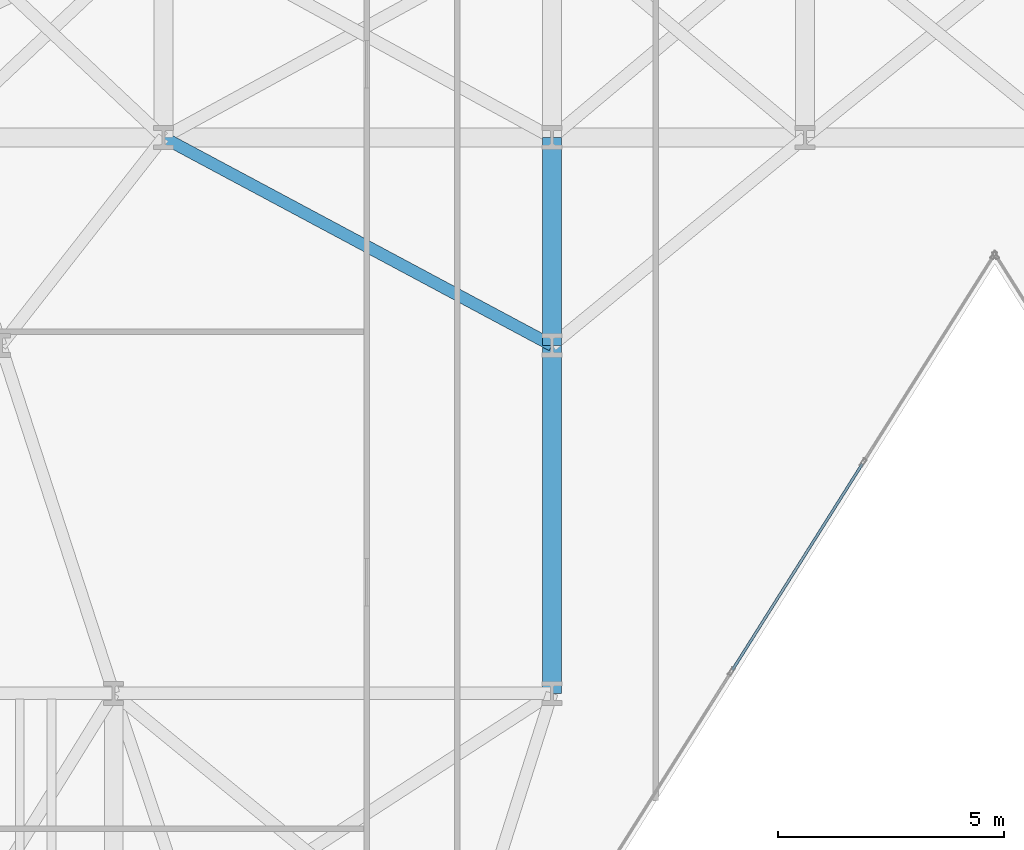
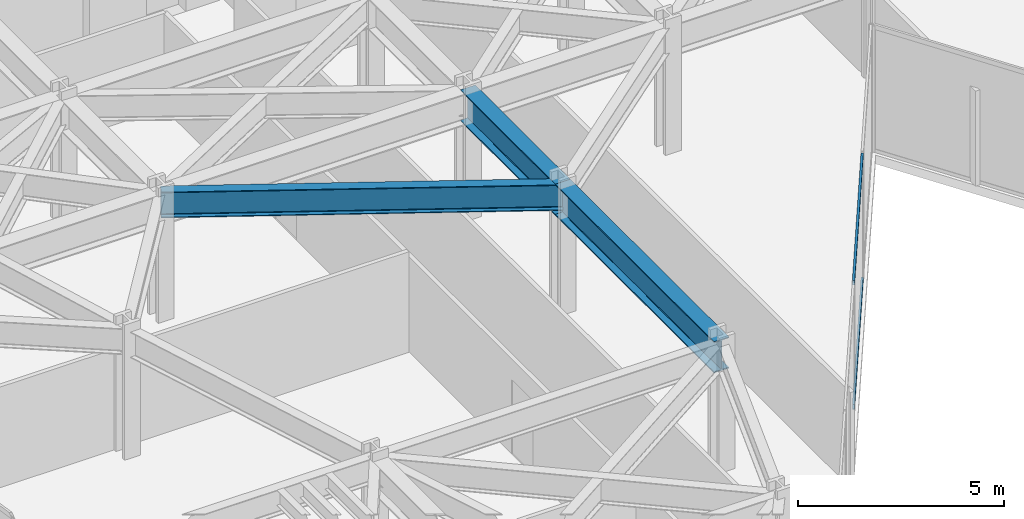
# One storey, part 9 of 24: 3 beams, 2 members, 1 element without a shape of its own.
"""IFC4 building model written with IfcOpenShell, lengths in metres."""

import ifcopenshell
import ifcopenshell.guid

model = None  # the IFC model being written
_history = None  # IfcOwnerHistory: only IFC2X3 demands one
_inside = {}  # id of a spatial element -> (the spatial element, [elements in it])
_under = {}  # id of a project, library or spatial element -> (it, [spatial elements below it])
_declared = {}  # id of a project -> (the project, [libraries it declares])
_typed = {}  # id of a type object -> (the type object, [elements of that type])
_made_of = {}  # id of a material, layer set ... -> (it, [elements and type objects made of it])


def new_model(schema):
    """Start an empty IFC model of exactly this schema.

    Asked for "IFC4X3", IfcOpenShell would pick the latest addendum, in which some entities
    have other attributes; the version numbers below select the first issue.
    IFC2X3 requires an IfcOwnerHistory on every rooted entity: one is made here for all.
    """
    global model, _history
    if schema == "IFC4X3":
        model = ifcopenshell.file(schema_version=(4, 3, 0, 0))
    else:
        model = ifcopenshell.file(schema=schema)
    _inside.clear()
    _under.clear()
    _declared.clear()
    _typed.clear()
    _made_of.clear()
    _history = None
    if model.schema == "IFC2X3":
        org = make("IfcOrganization", Name="unknown")
        user = make(
            "IfcPersonAndOrganization",
            ThePerson=make("IfcPerson", FamilyName="unknown"),
            TheOrganization=org,
        )
        app = make(
            "IfcApplication",
            ApplicationDeveloper=org,
            Version="unknown",
            ApplicationFullName="unknown",
            ApplicationIdentifier="unknown",
        )
        _history = make(
            "IfcOwnerHistory",
            OwningUser=user,
            OwningApplication=app,
            ChangeAction="ADDED",
            CreationDate=0,
        )
    return model


def make(cls, **values):
    """One entity of the class cls with the attributes given. An attribute that is None is left unset."""
    return model.create_entity(
        cls, **{name: value for name, value in values.items() if value is not None}
    )


def rooted(cls, **values):
    """An entity with a GlobalId (a new one), such as an element, a storey or a relation."""
    return make(cls, GlobalId=ifcopenshell.guid.new(), OwnerHistory=_history, **values)


def si_unit(unit_type, name, prefix=None):
    """IfcSIUnit, for example si_unit("LENGTHUNIT", "METRE", prefix="MILLI")."""
    return make("IfcSIUnit", UnitType=unit_type, Prefix=prefix, Name=name)


def assignment(units):
    """IfcUnitAssignment: the units of a project."""
    return None if units is None else make("IfcUnitAssignment", Units=units)


def point(xyz):
    """IfcCartesianPoint."""
    return None if xyz is None else make("IfcCartesianPoint", Coordinates=xyz)


def direction(xyz):
    """IfcDirection."""
    return None if xyz is None else make("IfcDirection", DirectionRatios=xyz)


def frame(location, z_axis=None, x_axis=None):
    """IfcAxis2Placement3D, a coordinate frame: its origin and axes. An axis left out is left unset."""
    return make(
        "IfcAxis2Placement3D",
        Location=point(location),
        Axis=direction(z_axis),
        RefDirection=direction(x_axis),
    )


def frame_2d(location, x_axis=None):
    """IfcAxis2Placement2D, a coordinate frame in the plane: its origin and x axis."""
    return make(
        "IfcAxis2Placement2D", Location=point(location), RefDirection=direction(x_axis)
    )


def origin():
    """The frame at (0, 0, 0) with its axes left unset."""
    return frame((0.0, 0.0, 0.0))


def origin_2d():
    """The frame at (0, 0) in the plane with its x axis left unset."""
    return frame_2d((0.0, 0.0))


def place(relative_to, where):
    """IfcLocalPlacement: puts the frame where relative to a parent placement (None: the world)."""
    return make(
        "IfcLocalPlacement", PlacementRelTo=relative_to, RelativePlacement=where
    )


def context(
    kind, dimensions, precision=None, world=None, true_north=None, identifier=None
):
    """IfcGeometricRepresentationContext, for example the 3D "Model" context."""
    return make(
        "IfcGeometricRepresentationContext",
        ContextIdentifier=identifier,
        ContextType=kind,
        CoordinateSpaceDimension=dimensions,
        Precision=precision,
        WorldCoordinateSystem=world,
        TrueNorth=true_north,
    )


def subcontext(parent, identifier, kind, view, scale=None):
    """IfcGeometricRepresentationSubContext, for example "Body" below "Model"."""
    return make(
        "IfcGeometricRepresentationSubContext",
        ContextIdentifier=identifier,
        ContextType=kind,
        ParentContext=parent,
        TargetScale=scale,
        TargetView=view,
    )


def project(units=None, contexts=None):
    """IfcProject with its units and contexts."""
    return rooted(
        "IfcProject",
        Name="project",
        RepresentationContexts=contexts,
        UnitsInContext=assignment(units),
    )


def spatial(cls, under=None, at=None, **own):
    """A site, building, storey or space (cls), placed at a placement, below another one or the project."""
    s = rooted(cls, ObjectPlacement=at, **own)
    if under is not None:
        _under.setdefault(under.id(), (under, []))[1].append(s)
    return s


def profile(cls, at=None, kind="AREA", **sizes):
    """A parametric profile (cls). Its sizes go by their IFC names, for example OverallWidth=200.0."""
    return make(cls, ProfileType=kind, Position=at, **sizes)


def hollow_rectangle(**sizes):
    """IfcRectangleHollowProfileDef."""
    return profile("IfcRectangleHollowProfileDef", **sizes)


def i_section(**sizes):
    """IfcIShapeProfileDef."""
    return profile("IfcIShapeProfileDef", **sizes)


def extrude(swept, where, along, depth):
    """IfcExtrudedAreaSolid: the profile swept, set in the frame where, extruded along a direction by depth."""
    return make(
        "IfcExtrudedAreaSolid",
        SweptArea=swept,
        Position=where,
        ExtrudedDirection=direction(along),
        Depth=depth,
    )


def shape(context_of_items, identifier, shape_type, items):
    """IfcShapeRepresentation: the items that make up one representation, for example the "Body"."""
    return make(
        "IfcShapeRepresentation",
        ContextOfItems=context_of_items,
        RepresentationIdentifier=identifier,
        RepresentationType=shape_type,
        Items=items,
    )


def material(Name=None, Category=None):
    """IfcMaterial."""
    return make("IfcMaterial", Name=Name, Category=Category)


def layer(
    of_material, thickness, ventilated=None, Name=None, Category=None, Priority=None
):
    """IfcMaterialLayer: one layer of a wall or slab, of a material (None: an air gap)."""
    return make(
        "IfcMaterialLayer",
        Material=of_material,
        LayerThickness=thickness,
        IsVentilated=ventilated,
        Name=Name,
        Category=Category,
        Priority=Priority,
    )


def layer_set(layers, Name=None):
    """IfcMaterialLayerSet."""
    return make("IfcMaterialLayerSet", MaterialLayers=layers, LayerSetName=Name)


def material_profile(
    of_material, cross_section, Name=None, Category=None, Priority=None
):
    """IfcMaterialProfile: a cross section and its material."""
    return make(
        "IfcMaterialProfile",
        Name=Name,
        Material=of_material,
        Profile=cross_section,
        Priority=Priority,
        Category=Category,
    )


def profile_set(profiles, Name=None, composite=None):
    """IfcMaterialProfileSet."""
    return make(
        "IfcMaterialProfileSet",
        Name=Name,
        MaterialProfiles=profiles,
        CompositeProfile=composite,
    )


def made_of(thing, what):
    """Note that an element or type object is made of a material, layer set ...; save() writes the relation."""
    if what is not None:
        _made_of.setdefault(what.id(), (what, []))[1].append(thing)
    return thing


def type_object(cls, material=None, **own):
    """A type object (cls), such as IfcWallType, which elements share."""
    return made_of(rooted(cls, **own), material)


def element(
    cls,
    number,
    at=None,
    inside=None,
    cuts=None,
    type_object=None,
    material=None,
    context=None,
    identifier="Body",
    shape_type=None,
    held_by="IfcProductDefinitionShape",
    body=None,
    shapes=None,
    **own,
):
    """One element of the class cls, such as IfcWall. Its Tag is "e" and its number.

    at: its placement. inside: the storey or other place that contains it. cuts: it is an
    opening in that element (IfcRelVoidsElement). A single representation is given by context,
    identifier, shape_type and body (its items); several are given by shapes. held_by: the class
    of the entity that holds the representations. save() writes the other relations.
    """
    e = rooted(cls, Tag="e%d" % number, ObjectPlacement=at, **own)
    if body is not None:
        shapes = [shape(context, identifier, shape_type, body)]
    if shapes is not None:
        e.Representation = make(held_by, Representations=shapes)
    if inside is not None:
        _inside.setdefault(inside.id(), (inside, []))[1].append(e)
    if cuts is not None:
        rooted(
            "IfcRelVoidsElement", RelatingBuildingElement=cuts, RelatedOpeningElement=e
        )
    if type_object is not None:
        _typed.setdefault(type_object.id(), (type_object, []))[1].append(e)
    return made_of(e, material)


def aggregate(whole, parts):
    """IfcRelAggregates: a whole, such as a stair, and the parts it consists of."""
    return rooted("IfcRelAggregates", RelatingObject=whole, RelatedObjects=parts)


def save(model, path):
    """Write the relations noted so far, then the file.

    IfcRelAggregates (storeys below a building ...), IfcRelContainedInSpatialStructure (elements
    in a storey), IfcRelDefinesByType, IfcRelAssociatesMaterial and IfcRelDeclares: one each for
    every whole, place, type object, material and project.
    """
    for whole, parts in _under.values():
        aggregate(whole, parts)
    for where, things in _inside.values():
        rooted(
            "IfcRelContainedInSpatialStructure",
            RelatedElements=things,
            RelatingStructure=where,
        )
    for kind, things in _typed.values():
        rooted("IfcRelDefinesByType", RelatedObjects=things, RelatingType=kind)
    for what, things in _made_of.values():
        rooted("IfcRelAssociatesMaterial", RelatedObjects=things, RelatingMaterial=what)
    for by, libraries in _declared.values():
        rooted("IfcRelDeclares", RelatingContext=by, RelatedDefinitions=libraries)
    model.write(path)


model = new_model("IFC4")

# Units and contexts
model_context = context("Model", 3, precision=1e-05, world=origin(), true_north=direction((0.0, 1.0)))
body_context = subcontext(model_context, "Body", "Model", "MODEL_VIEW")
ifc_project = project(units=[si_unit("LENGTHUNIT", "METRE"), si_unit("AREAUNIT", "SQUARE_METRE"), si_unit("VOLUMEUNIT", "CUBIC_METRE"), si_unit("PLANEANGLEUNIT", "RADIAN"), si_unit("MASSUNIT", "GRAM", prefix="KILO")], contexts=[model_context])

# Site, building, storey
site_placement = place(None, origin())
site = spatial("IfcSite", under=ifc_project, at=site_placement, CompositionType="ELEMENT")
building_placement = place(site_placement, origin())
building = spatial("IfcBuilding", under=site, at=building_placement, Name="Kravanh Interchange Tower", CompositionType="ELEMENT")
storey_placement = place(building_placement, frame((0.0, 0.0, 45.5)))
storey = spatial("IfcBuildingStorey", under=building, at=storey_placement, Name="L10", CompositionType="ELEMENT", Elevation=45.5)

# Curtain wall, members
ifc_material_1 = material(Name="Anodised Bronze Aluminium", Category="aluminium")
ifc_layer = layer(ifc_material_1, 0.179931640625)
ifc_layer_set = layer_set([ifc_layer], Name="Unitised Curtain Wall System CW-Z1 Lower Office")
curtain_wall_type = type_object("IfcCurtainWallType", Name="Unitised Curtain Wall System CW-Z1 Lower Office", PredefinedType="NOTDEFINED", material=ifc_layer_set)
curtain_wall_placement = place(storey_placement, origin())
curtain_wall = element("IfcCurtainWall", 1, at=curtain_wall_placement, inside=storey, type_object=curtain_wall_type, Name="L10 Unitised Curtain Wall CW-L10-05", PredefinedType="NOTDEFINED")
ifc_material_2 = material(Name="Anodised Bronze Aluminium", Category="aluminium")
ifc_material_profile_1 = material_profile(ifc_material_2, hollow_rectangle(XDim=0.06005859375, YDim=0.139892578125, WallThickness=0.00390625, at=origin_2d()), Name="ALU60X140X4")
ifc_profile_set_1 = profile_set([ifc_material_profile_1], Name="Anodised Bronze Aluminium")
member_type = type_object("IfcMemberType", Name="Curtain Wall Transom ALU60X140X4 Bronze", PredefinedType="USERDEFINED", material=ifc_profile_set_1)
member_1_placement = place(storey_placement, frame((34.068115234375, 19.574462890625, 0.030029296875), z_axis=(-0.533311487456, -0.84591894254, 0.0), x_axis=(0.84591894254, -0.533311487456, 0.0)))
member_1 = element("IfcMember", 2, at=member_1_placement, type_object=member_type, Name="CW-Z1 transom 2.1", ObjectType="TRANSOM", PredefinedType="USERDEFINED", context=body_context, shape_type="SweptSolid", body=[
    extrude(hollow_rectangle(XDim=0.06005859375, YDim=0.139892578125, WallThickness=0.00390625, at=origin_2d()), origin(), (0.0, 0.0, 1.0), 5.392578125),
])
member_2_placement = place(storey_placement, frame((34.068115234375, 19.574462890625, 3.7099609375), z_axis=(-0.533311487456, -0.84591894254, 0.0), x_axis=(0.84591894254, -0.533311487456, 0.0)))
member_2 = element("IfcMember", 3, at=member_2_placement, type_object=member_type, Name="CW-Z1 transom 2.2", ObjectType="TRANSOM", PredefinedType="USERDEFINED", context=body_context, shape_type="SweptSolid", body=[
    extrude(hollow_rectangle(XDim=0.06005859375, YDim=0.139892578125, WallThickness=0.00390625, at=origin_2d()), origin(), (0.0, 0.0, 1.0), 5.392578125),
])
aggregate(curtain_wall, [member_1, member_2])

# Beams
ifc_material_3 = material(Name="Structural Steel S355", Category="steel")
ifc_material_profile_2 = material_profile(ifc_material_3, i_section(OverallWidth=0.41796875, OverallDepth=0.927001953125, WebThickness=0.019287109375, FlangeThickness=0.031982421875, FilletRadius=0.028076171875, at=origin_2d()), Name="W36X231")
ifc_profile_set_2 = profile_set([ifc_material_profile_2], Name="Structural Steel S355")
beam_type_1 = type_object("IfcBeamType", Name="Floor Beam W36X231 Structural Steel S355", PredefinedType="BEAM", material=ifc_profile_set_2)
beam_1_placement = place(storey_placement, frame((27.199951171875, 22.199951171875, 3.276611328125), z_axis=(0.0, 1.0, 0.0), x_axis=(-1.0, 0.0, 0.0)))
element("IfcBeam", 4, at=beam_1_placement, inside=storey, type_object=beam_type_1, Name="L10 Primary Floor Girder 54", PredefinedType="BEAM", context=body_context, shape_type="SweptSolid", body=[
    extrude(i_section(OverallWidth=0.41796875, OverallDepth=0.927001953125, WebThickness=0.019287109375, FlangeThickness=0.031982421875, FilletRadius=0.028076171875, at=origin_2d()), origin(), (0.0, 0.0, 1.0), 4.60009765625),
])
beam_2_placement = place(storey_placement, frame((27.199951171875, 22.199951171875, 3.276611328125), z_axis=(0.0, -1.0, 0.0), x_axis=(1.0, 0.0, 0.0)))
element("IfcBeam", 5, at=beam_2_placement, inside=storey, type_object=beam_type_1, Name="L10 Primary Floor Girder 56", PredefinedType="BEAM", context=body_context, shape_type="SweptSolid", body=[
    extrude(i_section(OverallWidth=0.41796875, OverallDepth=0.927001953125, WebThickness=0.019287109375, FlangeThickness=0.031982421875, FilletRadius=0.028076171875, at=origin_2d()), origin(), (0.0, 0.0, 1.0), 7.699951171875),
])
ifc_material_4 = material(Name="Structural Steel S355", Category="steel")
ifc_material_profile_3 = material_profile(ifc_material_4, i_section(OverallWidth=0.26708984375, OverallDepth=0.761962890625, WebThickness=0.014404296875, FlangeThickness=0.021484375, FilletRadius=0.02490234375, at=origin_2d()), Name="W30X116")
ifc_profile_set_3 = profile_set([ifc_material_profile_3], Name="Structural Steel S355")
beam_type_2 = type_object("IfcBeamType", Name="Floor Spandrel W30X116 Structural Steel S355", PredefinedType="SPANDREL", material=ifc_profile_set_3)
beam_3_placement = place(storey_placement, frame((27.199951171875, 22.199951171875, 3.35888671875), z_axis=(-0.881777136221, 0.471666282489, 0.0), x_axis=(-0.471666282489, -0.881777136221, 0.0)))
element("IfcBeam", 6, at=beam_3_placement, inside=storey, type_object=beam_type_2, Name="L10 Perimeter Spandrel 57", PredefinedType="SPANDREL", context=body_context, shape_type="SweptSolid", body=[
    extrude(i_section(OverallWidth=0.26708984375, OverallDepth=0.761962890625, WebThickness=0.014404296875, FlangeThickness=0.021484375, FilletRadius=0.02490234375, at=origin_2d()), origin(), (0.0, 0.0, 1.0), 9.7529296875),
])

save(model, "model.ifc")
